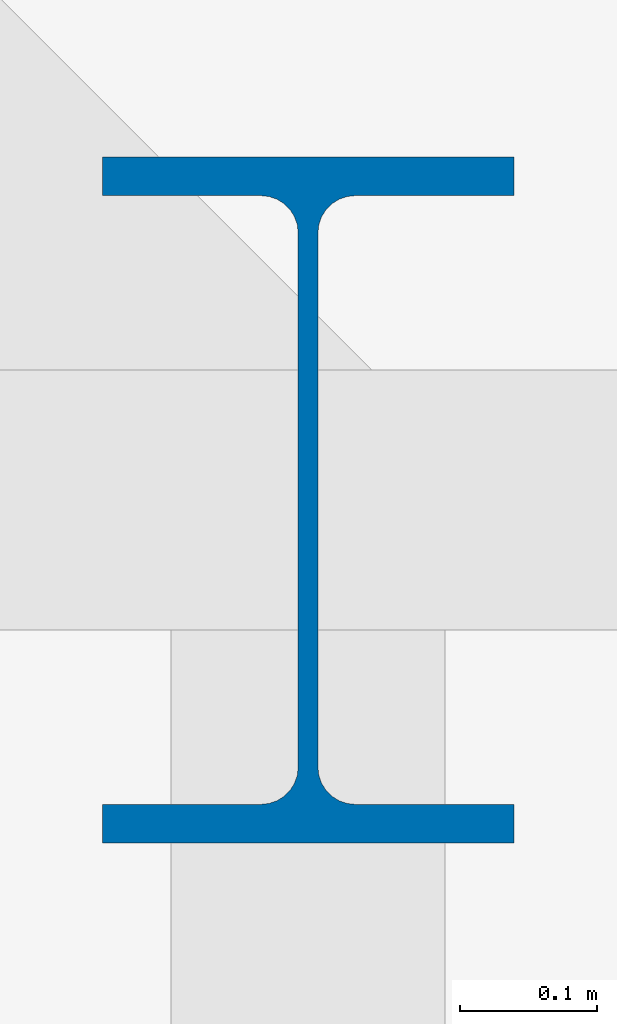
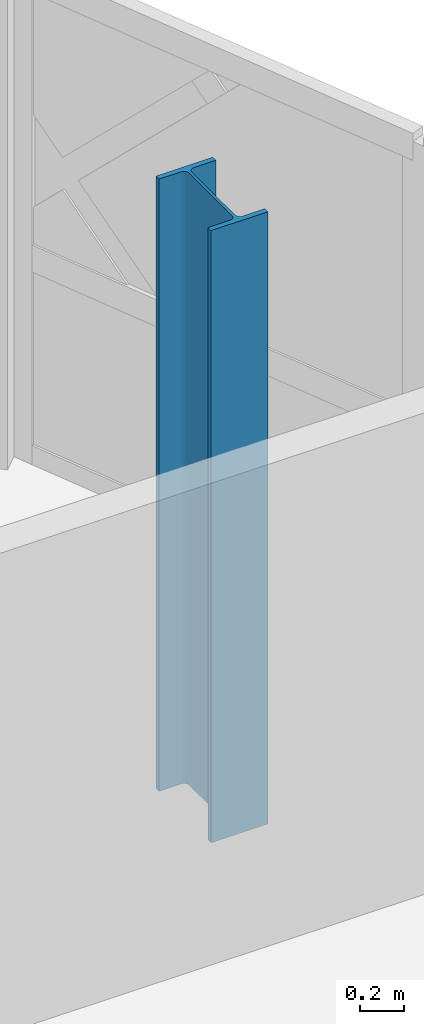
# One storey, part 4 of 26: 1 column.
"""IFC4 building model written with IfcOpenShell, lengths in metres."""

from ifc_helpers import new_model, si_unit, direction, frame, origin, origin_2d, place, context, subcontext, project, spatial, i_section, extrude, material, material_profile, profile_set, type_object, element, save


model = new_model("IFC4")

# Units and contexts
model_context = context("Model", 3, precision=1e-05, world=origin(), true_north=direction((0.0, 1.0)))
body_context = subcontext(model_context, "Body", "Model", "MODEL_VIEW")
ifc_project = project(units=[si_unit("LENGTHUNIT", "METRE"), si_unit("AREAUNIT", "SQUARE_METRE"), si_unit("VOLUMEUNIT", "CUBIC_METRE"), si_unit("PLANEANGLEUNIT", "RADIAN"), si_unit("MASSUNIT", "GRAM", prefix="KILO")], contexts=[model_context])

# Site, building, storey
site_placement = place(None, origin())
site = spatial("IfcSite", under=ifc_project, at=site_placement, CompositionType="ELEMENT")
building_placement = place(site_placement, origin())
building = spatial("IfcBuilding", under=site, at=building_placement, Name="Zevrakil Square Congress Hotel", CompositionType="ELEMENT")
storey_placement = place(building_placement, frame((0.0, 0.0, 24.89990234375)))
storey = spatial("IfcBuildingStorey", under=building, at=storey_placement, Name="L07", CompositionType="ELEMENT", Elevation=24.89990234375)

# Column
ifc_material = material(Name="Steel S355", Category="steel")
ifc_material_profile = material_profile(ifc_material, i_section(OverallWidth=0.300048828125, OverallDepth=0.5, WebThickness=0.014404296875, FlangeThickness=0.028076171875, FilletRadius=0.027099609375, at=origin_2d()), Name="HEB 500")
ifc_profile_set = profile_set([ifc_material_profile], Name="Steel S355")
column_type = type_object("IfcColumnType", Name="COL-HEB500", PredefinedType="COLUMN", material=ifc_profile_set)
column_placement = place(storey_placement, frame((163.199951171875, 38.39990234375, 0.0), z_axis=(0.0, 0.0, 1.0), x_axis=(1.0, 0.0, 0.0)))
element("IfcColumn", 1, at=column_placement, inside=storey, type_object=column_type, Name="L07 drum column DC08", PredefinedType="COLUMN", context=body_context, shape_type="SweptSolid", body=[
    extrude(i_section(OverallWidth=0.300048828125, OverallDepth=0.5, WebThickness=0.014404296875, FlangeThickness=0.028076171875, FilletRadius=0.027099609375, at=origin_2d()), origin(), (0.0, 0.0, 1.0), 3.400146484375),
])

save(model, "model.ifc")
